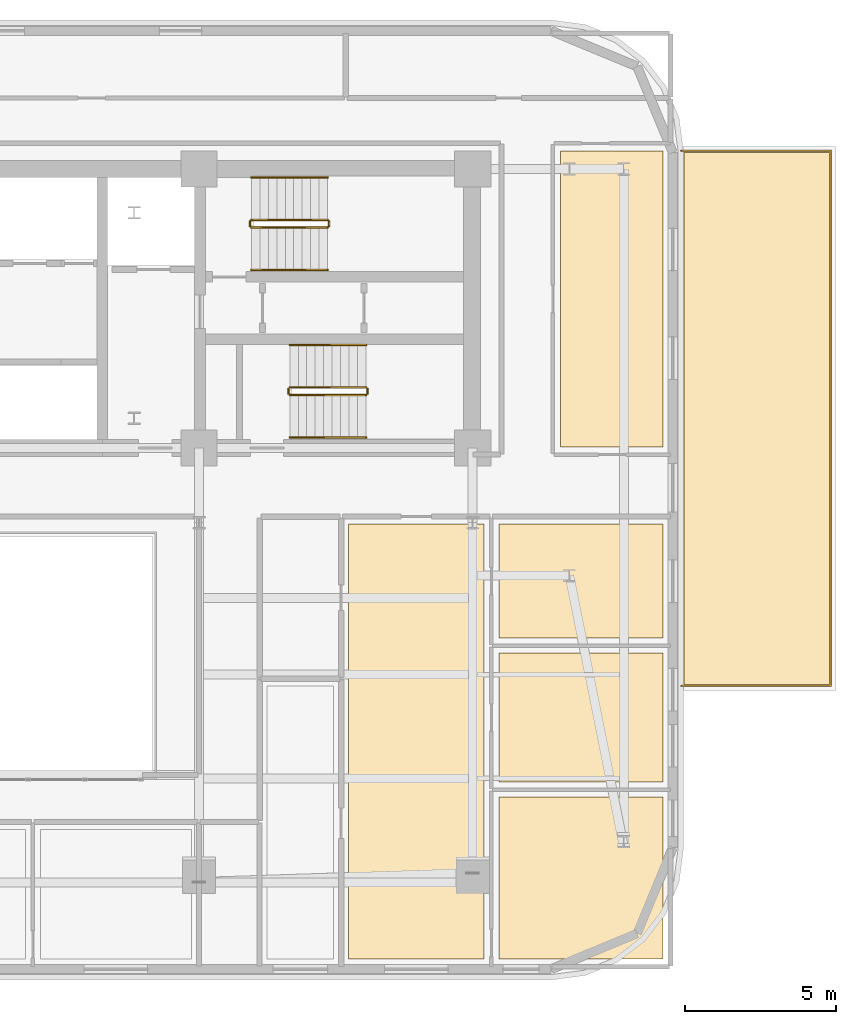
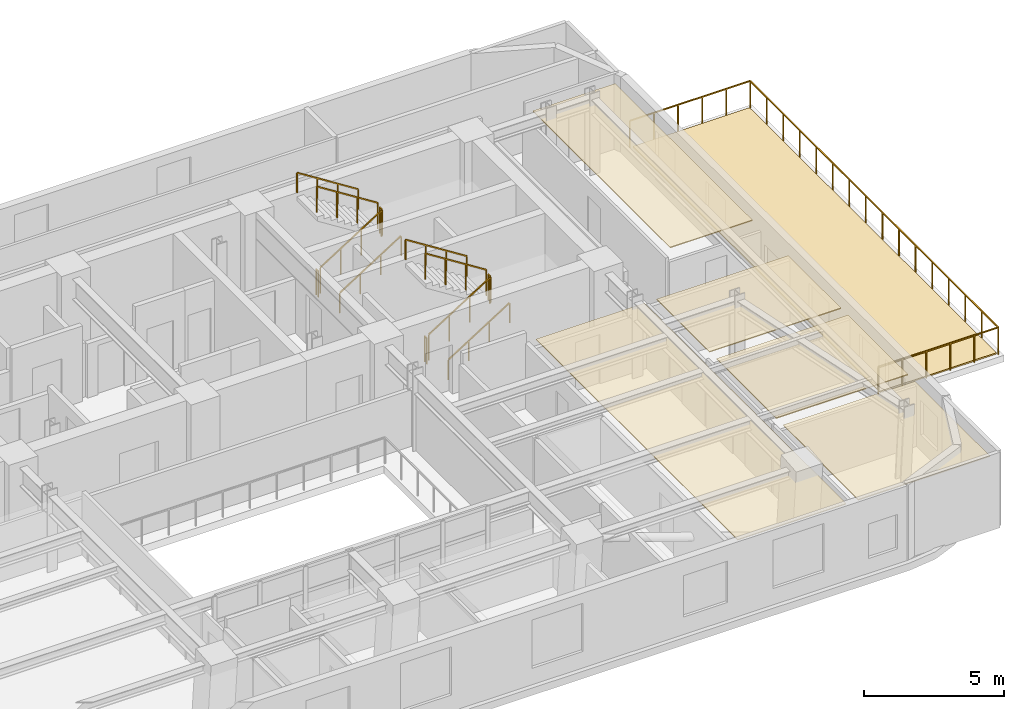
# One storey, part 13 of 13: 13 railings, 6 coverings.
"""IFC4 building model written with IfcOpenShell, lengths in metres."""

from ifc_helpers import new_model, si_unit, direction, frame, origin, origin_2d, place, context, subcontext, project, spatial, polyline, rectangle, outline, extrude, material, layer, layer_set, type_object, element, save


model = new_model("IFC4")

# Units and contexts
model_context = context("Model", 3, precision=1e-05, world=origin(), true_north=direction((0.0, 1.0)))
body_context = subcontext(model_context, "Body", "Model", "MODEL_VIEW")
ifc_project = project(units=[si_unit("LENGTHUNIT", "METRE"), si_unit("AREAUNIT", "SQUARE_METRE"), si_unit("VOLUMEUNIT", "CUBIC_METRE"), si_unit("PLANEANGLEUNIT", "RADIAN"), si_unit("MASSUNIT", "GRAM", prefix="KILO")], contexts=[model_context])

# Site, building, storey
site_placement = place(None, origin())
site = spatial("IfcSite", under=ifc_project, at=site_placement, CompositionType="ELEMENT")
building_placement = place(site_placement, origin())
building = spatial("IfcBuilding", under=site, at=building_placement, Name="Zarnavel Station Tower", CompositionType="ELEMENT")
storey_placement = place(building_placement, frame((0.0, 0.0, 137.699951171875)))
storey = spatial("IfcBuildingStorey", under=building, at=storey_placement, Name="L37", CompositionType="ELEMENT", Elevation=137.699951171875)

# Coverings
ifc_material_1 = material(Name="Perforated Gypsum and Mineral-Wool Acoustic Ceiling", Category="concrete")
ifc_layer_1 = layer(ifc_material_1, 0.0400390625)
ifc_layer_set_1 = layer_set([ifc_layer_1], Name="COV_CEIL_ACOUSTIC")
covering_type_1 = type_object("IfcCoveringType", Name="COV_CEIL_ACOUSTIC", PredefinedType="CEILING", material=ifc_layer_set_1)
covering_1_placement = place(storey_placement, frame((0.0, 0.0, 2.969970703125)))
element("IfcCovering", 1, at=covering_1_placement, inside=storey, type_object=covering_type_1, Name="L37 FNE Acoustic Ceiling", PredefinedType="CEILING", context=body_context, shape_type="SweptSolid", body=[
    extrude(outline(polyline([(48.300048828125, 27.85009765625), (51.68994140625, 27.85009765625), (51.68994140625, 37.64990234375), (48.300048828125, 37.64990234375), (48.300048828125, 27.85009765625)])), origin(), (0.0, 0.0, 1.0), 0.0400390625),
])
covering_2_placement = place(storey_placement, frame((0.0, 0.0, 2.969970703125)))
element("IfcCovering", 2, at=covering_2_placement, inside=storey, type_object=covering_type_1, Name="L37 UE1LV Acoustic Ceiling", PredefinedType="CEILING", context=body_context, shape_type="SweptSolid", body=[
    extrude(outline(polyline([(41.300048828125, 10.909912109375), (45.77001953125, 10.909912109375), (45.77001953125, 25.300048828125), (41.300048828125, 25.300048828125), (41.300048828125, 10.909912109375)])), origin(), (0.0, 0.0, 1.0), 0.0400390625),
])
covering_3_placement = place(storey_placement, frame((0.0, 0.0, 2.969970703125)))
element("IfcCovering", 3, at=covering_3_placement, inside=storey, type_object=covering_type_1, Name="L37 UE1B1 Acoustic Ceiling", PredefinedType="CEILING", context=body_context, shape_type="SweptSolid", body=[
    extrude(outline(polyline([(46.27001953125, 10.909912109375), (51.68994140625, 10.909912109375), (51.68994140625, 16.26708984375), (46.27001953125, 16.26708984375), (46.27001953125, 10.909912109375)])), origin(), (0.0, 0.0, 1.0), 0.0400390625),
])
covering_4_placement = place(storey_placement, frame((0.0, 0.0, 2.969970703125)))
element("IfcCovering", 4, at=covering_4_placement, inside=storey, type_object=covering_type_1, Name="L37 UE1B2 Acoustic Ceiling", PredefinedType="CEILING", context=body_context, shape_type="SweptSolid", body=[
    extrude(outline(polyline([(46.27001953125, 16.76708984375), (51.68994140625, 16.76708984375), (51.68994140625, 21.031982421875), (46.27001953125, 21.031982421875), (46.27001953125, 16.76708984375)])), origin(), (0.0, 0.0, 1.0), 0.0400390625),
])
covering_5_placement = place(storey_placement, frame((0.0, 0.0, 2.969970703125)))
element("IfcCovering", 5, at=covering_5_placement, inside=storey, type_object=covering_type_1, Name="L37 UE1B3 Acoustic Ceiling", PredefinedType="CEILING", context=body_context, shape_type="SweptSolid", body=[
    extrude(outline(polyline([(46.27001953125, 21.531982421875), (51.68994140625, 21.531982421875), (51.68994140625, 25.300048828125), (46.27001953125, 25.300048828125), (46.27001953125, 21.531982421875)])), origin(), (0.0, 0.0, 1.0), 0.0400390625),
])
ifc_material_2 = material(Name="Liquid-Applied Elastomeric Terrace Waterproofing Membrane", Category="concrete")
ifc_layer_2 = layer(ifc_material_2, 0.06005859375)
ifc_layer_set_2 = layer_set([ifc_layer_2], Name="COV_TER_MEMBRANE")
covering_type_2 = type_object("IfcCoveringType", Name="COV_TER_MEMBRANE", PredefinedType="ROOFING", material=ifc_layer_set_2)
covering_6_placement = place(storey_placement, origin())
element("IfcCovering", 6, at=covering_6_placement, inside=storey, type_object=covering_type_2, Name="L37 Terrace Paving Waterproofing TER-L37-E", PredefinedType="ROOFING", context=body_context, shape_type="SweptSolid", body=[
    extrude(outline(polyline([(52.39990234375, 20.0), (57.199951171875, 20.0), (57.199951171875, 37.60009765625), (52.39990234375, 37.60009765625), (52.39990234375, 20.0)])), origin(), (0.0, 0.0, 1.0), 0.06005859375),
])

# Railings
ifc_material_3 = material(Name="Black Coated Galvanised Steel S355J2 and Laminated Glass", Category="steel")
railing_type_1 = type_object("IfcRailingType", Name="GR_EXT_1200", PredefinedType="GUARDRAIL", material=ifc_material_3)
railing_1_placement = place(storey_placement, frame((52.300048828125, 19.949951171875, 0.0)))
element("IfcRailing", 7, at=railing_1_placement, inside=storey, type_object=railing_type_1, Name="L37 Terrace Perimeter Guard TER-L37-E", PredefinedType="GUARDRAIL", context=body_context, shape_type="SweptSolid", body=[
    extrude(rectangle(XDim=0.048095703125, YDim=0.048095703125, at=origin_2d()), frame((0.001953125, 0.0, 1.17578125), z_axis=(1.0, 0.0, 0.0), x_axis=(0.0, 1.0, 0.0)), (0.0, 0.0, 1.0), 4.946044921875),
    extrude(rectangle(XDim=0.048095703125, YDim=0.048095703125, at=origin_2d()), frame((4.949951171875, 0.001953125, 1.17578125), z_axis=(0.0, 1.0, 0.0), x_axis=(-1.0, 0.0, 0.0)), (0.0, 0.0, 1.0), 17.696044921875),
    extrude(rectangle(XDim=0.048095703125, YDim=0.048095703125, at=origin_2d()), frame((4.947998046875, 17.699951171875, 1.17578125), z_axis=(-1.0, 0.0, 0.0), x_axis=(0.0, -1.0, 0.0)), (0.0, 0.0, 1.0), 4.946044921875),
    extrude(rectangle(XDim=0.0419921875, YDim=0.0419921875, at=origin_2d()), origin(), (0.0, 0.0, 1.0), 1.15185546875),
    extrude(rectangle(XDim=0.0419921875, YDim=0.0419921875, at=origin_2d()), frame((0.989990234375, 0.0, 0.0)), (0.0, 0.0, 1.0), 1.15185546875),
    extrude(rectangle(XDim=0.0419921875, YDim=0.0419921875, at=origin_2d()), frame((1.97998046875, 0.0, 0.0)), (0.0, 0.0, 1.0), 1.15185546875),
    extrude(rectangle(XDim=0.0419921875, YDim=0.0419921875, at=origin_2d()), frame((2.969970703125, 0.0, 0.0)), (0.0, 0.0, 1.0), 1.15185546875),
    extrude(rectangle(XDim=0.0419921875, YDim=0.0419921875, at=origin_2d()), frame((3.9599609375, 0.0, 0.0)), (0.0, 0.0, 1.0), 1.15185546875),
    extrude(rectangle(XDim=0.0419921875, YDim=0.0419921875, at=origin_2d()), frame((4.949951171875, 0.0, 0.0)), (0.0, 0.0, 1.0), 1.15185546875),
    extrude(rectangle(XDim=0.0419921875, YDim=0.0419921875, at=origin_2d()), frame((4.949951171875, 1.179931640625, 0.0)), (0.0, 0.0, 1.0), 1.15185546875),
    extrude(rectangle(XDim=0.0419921875, YDim=0.0419921875, at=origin_2d()), frame((4.949951171875, 2.360107421875, 0.0)), (0.0, 0.0, 1.0), 1.15185546875),
    extrude(rectangle(XDim=0.0419921875, YDim=0.0419921875, at=origin_2d()), frame((4.949951171875, 3.5400390625, 0.0)), (0.0, 0.0, 1.0), 1.15185546875),
    extrude(rectangle(XDim=0.0419921875, YDim=0.0419921875, at=origin_2d()), frame((4.949951171875, 4.719970703125, 0.0)), (0.0, 0.0, 1.0), 1.15185546875),
    extrude(rectangle(XDim=0.0419921875, YDim=0.0419921875, at=origin_2d()), frame((4.949951171875, 5.89990234375, 0.0)), (0.0, 0.0, 1.0), 1.15185546875),
    extrude(rectangle(XDim=0.0419921875, YDim=0.0419921875, at=origin_2d()), frame((4.949951171875, 7.080078125, 0.0)), (0.0, 0.0, 1.0), 1.15185546875),
    extrude(rectangle(XDim=0.0419921875, YDim=0.0419921875, at=origin_2d()), frame((4.949951171875, 8.260009765625, 0.0)), (0.0, 0.0, 1.0), 1.15185546875),
    extrude(rectangle(XDim=0.0419921875, YDim=0.0419921875, at=origin_2d()), frame((4.949951171875, 9.43994140625, 0.0)), (0.0, 0.0, 1.0), 1.15185546875),
    extrude(rectangle(XDim=0.0419921875, YDim=0.0419921875, at=origin_2d()), frame((4.949951171875, 10.619873046875, 0.0)), (0.0, 0.0, 1.0), 1.15185546875),
    extrude(rectangle(XDim=0.0419921875, YDim=0.0419921875, at=origin_2d()), frame((4.949951171875, 11.800048828125, 0.0)), (0.0, 0.0, 1.0), 1.15185546875),
    extrude(rectangle(XDim=0.0419921875, YDim=0.0419921875, at=origin_2d()), frame((4.949951171875, 12.97998046875, 0.0)), (0.0, 0.0, 1.0), 1.15185546875),
    extrude(rectangle(XDim=0.0419921875, YDim=0.0419921875, at=origin_2d()), frame((4.949951171875, 14.159912109375, 0.0)), (0.0, 0.0, 1.0), 1.15185546875),
    extrude(rectangle(XDim=0.0419921875, YDim=0.0419921875, at=origin_2d()), frame((4.949951171875, 15.33984375, 0.0)), (0.0, 0.0, 1.0), 1.15185546875),
    extrude(rectangle(XDim=0.0419921875, YDim=0.0419921875, at=origin_2d()), frame((4.949951171875, 16.52001953125, 0.0)), (0.0, 0.0, 1.0), 1.15185546875),
    extrude(rectangle(XDim=0.0419921875, YDim=0.0419921875, at=origin_2d()), frame((4.949951171875, 17.699951171875, 0.0)), (0.0, 0.0, 1.0), 1.15185546875),
    extrude(rectangle(XDim=0.0419921875, YDim=0.0419921875, at=origin_2d()), frame((3.9599609375, 17.699951171875, 0.0)), (0.0, 0.0, 1.0), 1.15185546875),
    extrude(rectangle(XDim=0.0419921875, YDim=0.0419921875, at=origin_2d()), frame((2.969970703125, 17.699951171875, 0.0)), (0.0, 0.0, 1.0), 1.15185546875),
    extrude(rectangle(XDim=0.0419921875, YDim=0.0419921875, at=origin_2d()), frame((1.97998046875, 17.699951171875, 0.0)), (0.0, 0.0, 1.0), 1.15185546875),
    extrude(rectangle(XDim=0.0419921875, YDim=0.0419921875, at=origin_2d()), frame((0.989990234375, 17.699951171875, 0.0)), (0.0, 0.0, 1.0), 1.15185546875),
    extrude(rectangle(XDim=0.0419921875, YDim=0.0419921875, at=origin_2d()), frame((0.0, 17.699951171875, 0.0)), (0.0, 0.0, 1.0), 1.15185546875),
])
ifc_material_4 = material(Name="Painted Steel S355J2 Balustrade", Category="steel")
railing_type_2 = type_object("IfcRailingType", Name="GR_INT_1150", PredefinedType="GUARDRAIL", material=ifc_material_4)
railing_2_placement = place(storey_placement, frame((38.080078125, 35.110107421875, 0.177490234375)))
element("IfcRailing", 8, at=railing_2_placement, inside=storey, type_object=railing_type_2, Name="L37 ST2 stair guard 1", PredefinedType="GUARDRAIL", context=body_context, shape_type="SweptSolid", body=[
    extrude(rectangle(XDim=0.048095703125, YDim=0.048095703125, at=origin_2d()), frame((0.001708984375, 0.0, 1.126953125), z_axis=(0.84456994832, 0.0, 0.535445237532), x_axis=(0.0, 1.0, 0.0)), (0.0, 0.0, 1.0), 2.979736328125),
    extrude(rectangle(XDim=0.0419921875, YDim=0.0419921875, at=origin_2d()), origin(), (0.0, 0.0, 1.0), 1.101806640625),
    extrude(rectangle(XDim=0.0419921875, YDim=0.0419921875, at=origin_2d()), frame((0.840087890625, 0.0, 0.532470703125)), (0.0, 0.0, 1.0), 1.101806640625),
    extrude(rectangle(XDim=0.0419921875, YDim=0.0419921875, at=origin_2d()), frame((1.679931640625, 0.0, 1.065185546875)), (0.0, 0.0, 1.0), 1.101806640625),
    extrude(rectangle(XDim=0.0419921875, YDim=0.0419921875, at=origin_2d()), frame((2.52001953125, 0.0, 1.59765625)), (0.0, 0.0, 1.0), 1.101806640625),
])
railing_3_placement = place(storey_placement, frame((40.64990234375, 35.159912109375, 1.775146484375)))
element("IfcRailing", 9, at=railing_3_placement, inside=storey, type_object=railing_type_2, Name="L37 ST2 stair guard 2", PredefinedType="GUARDRAIL", context=body_context, shape_type="SweptSolid", body=[
    extrude(rectangle(XDim=0.048095703125, YDim=0.048095703125, at=origin_2d()), frame((0.0, 0.001953125, 1.1259765625), z_axis=(0.0, 1.0, 0.0), x_axis=(-1.0, 0.0, 0.0)), (0.0, 0.0, 1.0), 0.15625),
    extrude(rectangle(XDim=0.0419921875, YDim=0.0419921875, at=origin_2d()), origin(), (0.0, 0.0, 1.0), 1.101806640625),
    extrude(rectangle(XDim=0.0419921875, YDim=0.0419921875, at=origin_2d()), frame((0.0, 0.16015625, 0.0)), (0.0, 0.0, 1.0), 1.101806640625),
])
railing_4_placement = place(storey_placement, frame((40.60009765625, 35.3701171875, 1.95263671875)))
element("IfcRailing", 10, at=railing_4_placement, inside=storey, type_object=railing_type_2, Name="L37 ST2 stair guard 3", PredefinedType="GUARDRAIL", context=body_context, shape_type="SweptSolid", body=[
    extrude(rectangle(XDim=0.048095703125, YDim=0.048095703125, at=origin_2d()), frame((-0.001708984375, 0.0, 1.126953125), z_axis=(-0.84460694969, 0.0, 0.535386869969), x_axis=(0.0, -1.0, 0.0)), (0.0, 0.0, 1.0), 2.979736328125),
    extrude(rectangle(XDim=0.0419921875, YDim=0.0419921875, at=origin_2d()), origin(), (0.0, 0.0, 1.0), 1.101806640625),
    extrude(rectangle(XDim=0.0419921875, YDim=0.0419921875, at=origin_2d()), frame((-0.840087890625, 0.0, 0.532470703125)), (0.0, 0.0, 1.0), 1.101806640625),
    extrude(rectangle(XDim=0.0419921875, YDim=0.0419921875, at=origin_2d()), frame((-1.679931640625, 0.0, 1.06494140625)), (0.0, 0.0, 1.0), 1.101806640625),
    extrude(rectangle(XDim=0.0419921875, YDim=0.0419921875, at=origin_2d()), frame((-2.52001953125, 0.0, 1.597412109375)), (0.0, 0.0, 1.0), 1.101806640625),
])
railing_5_placement = place(storey_placement, frame((38.030029296875, 35.159912109375, 0.0)))
element("IfcRailing", 11, at=railing_5_placement, inside=storey, type_object=railing_type_2, Name="L37 ST2 stair guard 4", PredefinedType="GUARDRAIL", context=body_context, shape_type="SweptSolid", body=[
    extrude(rectangle(XDim=0.048095703125, YDim=0.048095703125, at=origin_2d()), frame((0.0, 0.001953125, 1.1259765625), z_axis=(0.0, 1.0, 0.0), x_axis=(-1.0, 0.0, 0.0)), (0.0, 0.0, 1.0), 0.15625),
    extrude(rectangle(XDim=0.0419921875, YDim=0.0419921875, at=origin_2d()), origin(), (0.0, 0.0, 1.0), 1.101806640625),
    extrude(rectangle(XDim=0.0419921875, YDim=0.0419921875, at=origin_2d()), frame((0.0, 0.16015625, 0.0)), (0.0, 0.0, 1.0), 1.101806640625),
])
railing_6_placement = place(storey_placement, frame((39.35009765625, 29.570068359375, 0.177490234375)))
element("IfcRailing", 12, at=railing_6_placement, inside=storey, type_object=railing_type_2, Name="L37 ST3 stair guard 1", PredefinedType="GUARDRAIL", context=body_context, shape_type="SweptSolid", body=[
    extrude(rectangle(XDim=0.048095703125, YDim=0.048095703125, at=origin_2d()), frame((0.001708984375, 0.0, 1.126953125), z_axis=(0.84456994832, 0.0, 0.535445237532), x_axis=(0.0, 1.0, 0.0)), (0.0, 0.0, 1.0), 2.979736328125),
    extrude(rectangle(XDim=0.0419921875, YDim=0.0419921875, at=origin_2d()), origin(), (0.0, 0.0, 1.0), 1.101806640625),
    extrude(rectangle(XDim=0.0419921875, YDim=0.0419921875, at=origin_2d()), frame((0.840087890625, 0.0, 0.532470703125)), (0.0, 0.0, 1.0), 1.101806640625),
    extrude(rectangle(XDim=0.0419921875, YDim=0.0419921875, at=origin_2d()), frame((1.679931640625, 0.0, 1.065185546875)), (0.0, 0.0, 1.0), 1.101806640625),
    extrude(rectangle(XDim=0.0419921875, YDim=0.0419921875, at=origin_2d()), frame((2.52001953125, 0.0, 1.59765625)), (0.0, 0.0, 1.0), 1.101806640625),
])
railing_7_placement = place(storey_placement, frame((41.919921875, 29.6201171875, 1.775146484375)))
element("IfcRailing", 13, at=railing_7_placement, inside=storey, type_object=railing_type_2, Name="L37 ST3 stair guard 2", PredefinedType="GUARDRAIL", context=body_context, shape_type="SweptSolid", body=[
    extrude(rectangle(XDim=0.048095703125, YDim=0.048095703125, at=origin_2d()), frame((0.0, 0.001953125, 1.1259765625), z_axis=(0.0, 1.0, 0.0), x_axis=(-1.0, 0.0, 0.0)), (0.0, 0.0, 1.0), 0.156005859375),
    extrude(rectangle(XDim=0.0419921875, YDim=0.0419921875, at=origin_2d()), origin(), (0.0, 0.0, 1.0), 1.101806640625),
    extrude(rectangle(XDim=0.0419921875, YDim=0.0419921875, at=origin_2d()), frame((0.0, 0.159912109375, 0.0)), (0.0, 0.0, 1.0), 1.101806640625),
])
railing_8_placement = place(storey_placement, frame((41.8701171875, 29.830078125, 1.95263671875)))
element("IfcRailing", 14, at=railing_8_placement, inside=storey, type_object=railing_type_2, Name="L37 ST3 stair guard 3", PredefinedType="GUARDRAIL", context=body_context, shape_type="SweptSolid", body=[
    extrude(rectangle(XDim=0.048095703125, YDim=0.048095703125, at=origin_2d()), frame((-0.001708984375, 0.0, 1.126953125), z_axis=(-0.84460694969, 0.0, 0.535386869969), x_axis=(0.0, -1.0, 0.0)), (0.0, 0.0, 1.0), 2.979736328125),
    extrude(rectangle(XDim=0.0419921875, YDim=0.0419921875, at=origin_2d()), origin(), (0.0, 0.0, 1.0), 1.101806640625),
    extrude(rectangle(XDim=0.0419921875, YDim=0.0419921875, at=origin_2d()), frame((-0.840087890625, 0.0, 0.532470703125)), (0.0, 0.0, 1.0), 1.101806640625),
    extrude(rectangle(XDim=0.0419921875, YDim=0.0419921875, at=origin_2d()), frame((-1.679931640625, 0.0, 1.06494140625)), (0.0, 0.0, 1.0), 1.101806640625),
    extrude(rectangle(XDim=0.0419921875, YDim=0.0419921875, at=origin_2d()), frame((-2.52001953125, 0.0, 1.597412109375)), (0.0, 0.0, 1.0), 1.101806640625),
])
railing_9_placement = place(storey_placement, frame((39.300048828125, 29.6201171875, 0.0)))
element("IfcRailing", 15, at=railing_9_placement, inside=storey, type_object=railing_type_2, Name="L37 ST3 stair guard 4", PredefinedType="GUARDRAIL", context=body_context, shape_type="SweptSolid", body=[
    extrude(rectangle(XDim=0.048095703125, YDim=0.048095703125, at=origin_2d()), frame((0.0, 0.001953125, 1.1259765625), z_axis=(0.0, 1.0, 0.0), x_axis=(-1.0, 0.0, 0.0)), (0.0, 0.0, 1.0), 0.156005859375),
    extrude(rectangle(XDim=0.0419921875, YDim=0.0419921875, at=origin_2d()), origin(), (0.0, 0.0, 1.0), 1.101806640625),
    extrude(rectangle(XDim=0.0419921875, YDim=0.0419921875, at=origin_2d()), frame((0.0, 0.159912109375, 0.0)), (0.0, 0.0, 1.0), 1.101806640625),
])
ifc_material_5 = material(Name="Brushed Stainless Steel S355J2 Handrail", Category="steel")
railing_type_3 = type_object("IfcRailingType", Name="HR_STAIR_900", PredefinedType="HANDRAIL", material=ifc_material_5)
railing_10_placement = place(storey_placement, frame((38.080078125, 33.7099609375, 0.177490234375)))
element("IfcRailing", 16, at=railing_10_placement, inside=storey, type_object=railing_type_3, Name="L37 ST2 stair handrail 1", PredefinedType="HANDRAIL", context=body_context, shape_type="SweptSolid", body=[
    extrude(rectangle(XDim=0.048095703125, YDim=0.048095703125, at=origin_2d()), frame((0.001708984375, 0.0, 0.876953125), z_axis=(0.84456994832, 0.0, 0.535445237532), x_axis=(0.0, 1.0, 0.0)), (0.0, 0.0, 1.0), 2.979736328125),
    extrude(rectangle(XDim=0.0419921875, YDim=0.0419921875, at=origin_2d()), origin(), (0.0, 0.0, 1.0), 0.851806640625),
    extrude(rectangle(XDim=0.0419921875, YDim=0.0419921875, at=origin_2d()), frame((0.840087890625, 0.0, 0.532470703125)), (0.0, 0.0, 1.0), 0.851806640625),
    extrude(rectangle(XDim=0.0419921875, YDim=0.0419921875, at=origin_2d()), frame((1.679931640625, 0.0, 1.065185546875)), (0.0, 0.0, 1.0), 0.851806640625),
    extrude(rectangle(XDim=0.0419921875, YDim=0.0419921875, at=origin_2d()), frame((2.52001953125, 0.0, 1.59765625)), (0.0, 0.0, 1.0), 0.851806640625),
])
railing_11_placement = place(storey_placement, frame((40.60009765625, 36.77001953125, 1.95263671875)))
element("IfcRailing", 17, at=railing_11_placement, inside=storey, type_object=railing_type_3, Name="L37 ST2 stair handrail 2", PredefinedType="HANDRAIL", context=body_context, shape_type="SweptSolid", body=[
    extrude(rectangle(XDim=0.048095703125, YDim=0.048095703125, at=origin_2d()), frame((-0.001708984375, 0.0, 0.876953125), z_axis=(-0.84460694969, 0.0, 0.535386869969), x_axis=(0.0, -1.0, 0.0)), (0.0, 0.0, 1.0), 2.979736328125),
    extrude(rectangle(XDim=0.0419921875, YDim=0.0419921875, at=origin_2d()), origin(), (0.0, 0.0, 1.0), 0.851806640625),
    extrude(rectangle(XDim=0.0419921875, YDim=0.0419921875, at=origin_2d()), frame((-0.840087890625, 0.0, 0.532470703125)), (0.0, 0.0, 1.0), 0.851806640625),
    extrude(rectangle(XDim=0.0419921875, YDim=0.0419921875, at=origin_2d()), frame((-1.679931640625, 0.0, 1.06494140625)), (0.0, 0.0, 1.0), 0.851806640625),
    extrude(rectangle(XDim=0.0419921875, YDim=0.0419921875, at=origin_2d()), frame((-2.52001953125, 0.0, 1.597412109375)), (0.0, 0.0, 1.0), 0.851806640625),
])
railing_12_placement = place(storey_placement, frame((39.35009765625, 28.169921875, 0.177490234375)))
element("IfcRailing", 18, at=railing_12_placement, inside=storey, type_object=railing_type_3, Name="L37 ST3 stair handrail 1", PredefinedType="HANDRAIL", context=body_context, shape_type="SweptSolid", body=[
    extrude(rectangle(XDim=0.048095703125, YDim=0.048095703125, at=origin_2d()), frame((0.001708984375, 0.0, 0.876953125), z_axis=(0.84456994832, 0.0, 0.535445237532), x_axis=(0.0, 1.0, 0.0)), (0.0, 0.0, 1.0), 2.979736328125),
    extrude(rectangle(XDim=0.0419921875, YDim=0.0419921875, at=origin_2d()), origin(), (0.0, 0.0, 1.0), 0.851806640625),
    extrude(rectangle(XDim=0.0419921875, YDim=0.0419921875, at=origin_2d()), frame((0.840087890625, 0.0, 0.532470703125)), (0.0, 0.0, 1.0), 0.851806640625),
    extrude(rectangle(XDim=0.0419921875, YDim=0.0419921875, at=origin_2d()), frame((1.679931640625, 0.0, 1.065185546875)), (0.0, 0.0, 1.0), 0.851806640625),
    extrude(rectangle(XDim=0.0419921875, YDim=0.0419921875, at=origin_2d()), frame((2.52001953125, 0.0, 1.59765625)), (0.0, 0.0, 1.0), 0.851806640625),
])
railing_13_placement = place(storey_placement, frame((41.8701171875, 31.22998046875, 1.95263671875)))
element("IfcRailing", 19, at=railing_13_placement, inside=storey, type_object=railing_type_3, Name="L37 ST3 stair handrail 2", PredefinedType="HANDRAIL", context=body_context, shape_type="SweptSolid", body=[
    extrude(rectangle(XDim=0.048095703125, YDim=0.048095703125, at=origin_2d()), frame((-0.001708984375, 0.0, 0.876953125), z_axis=(-0.84460694969, 0.0, 0.535386869969), x_axis=(0.0, -1.0, 0.0)), (0.0, 0.0, 1.0), 2.979736328125),
    extrude(rectangle(XDim=0.0419921875, YDim=0.0419921875, at=origin_2d()), origin(), (0.0, 0.0, 1.0), 0.851806640625),
    extrude(rectangle(XDim=0.0419921875, YDim=0.0419921875, at=origin_2d()), frame((-0.840087890625, 0.0, 0.532470703125)), (0.0, 0.0, 1.0), 0.851806640625),
    extrude(rectangle(XDim=0.0419921875, YDim=0.0419921875, at=origin_2d()), frame((-1.679931640625, 0.0, 1.06494140625)), (0.0, 0.0, 1.0), 0.851806640625),
    extrude(rectangle(XDim=0.0419921875, YDim=0.0419921875, at=origin_2d()), frame((-2.52001953125, 0.0, 1.597412109375)), (0.0, 0.0, 1.0), 0.851806640625),
])

save(model, "model.ifc")
